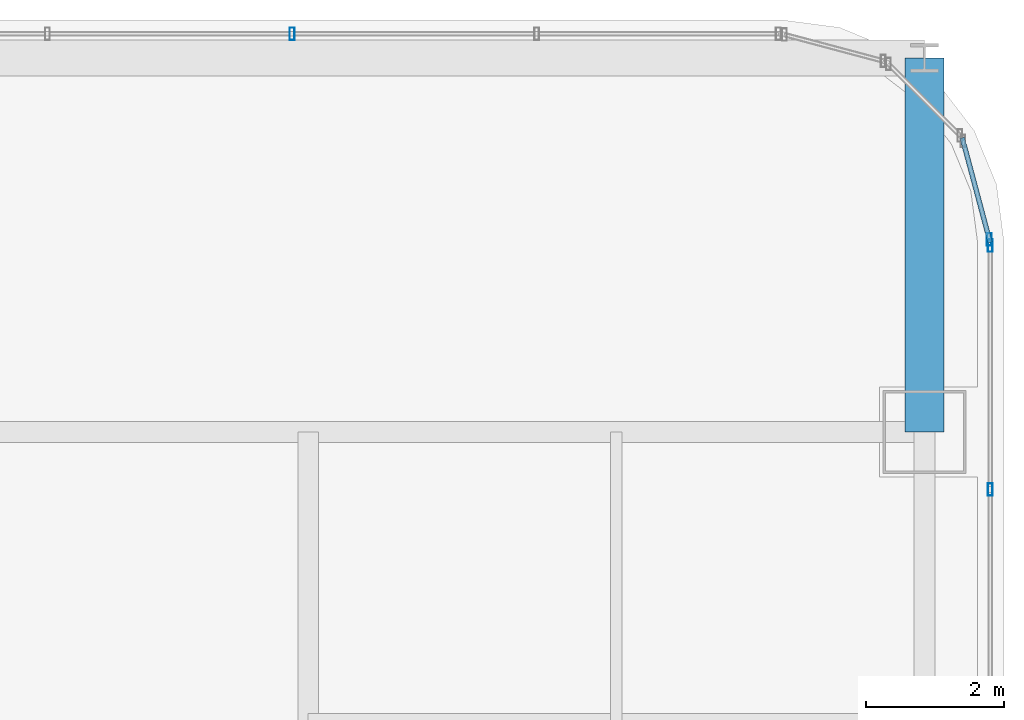
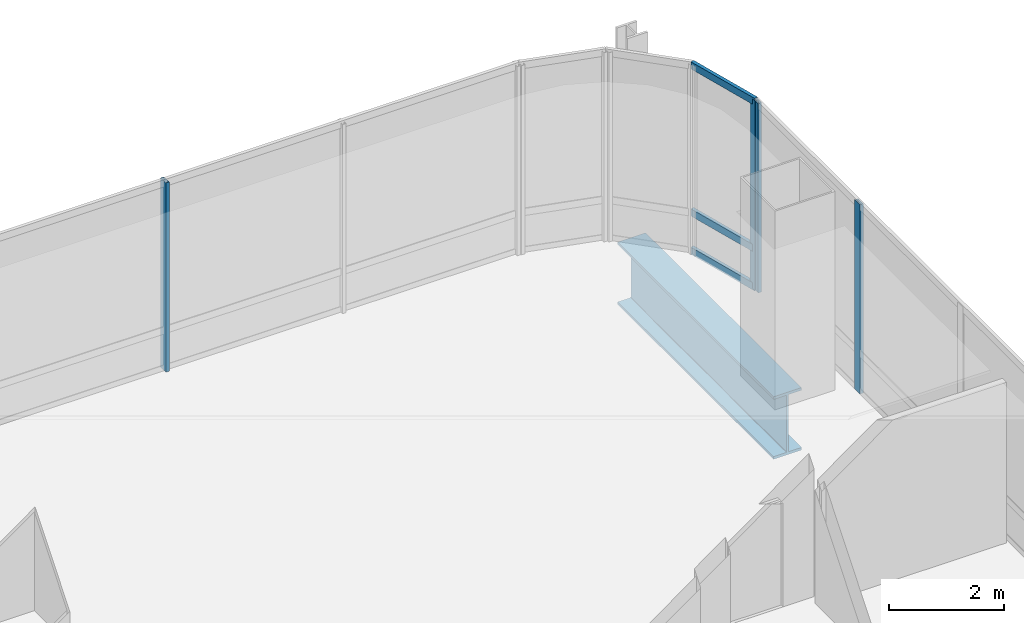
# One storey, part 29 of 41: 7 members, 1 beam, 3 elements without a shape of their own.
"""IFC4 building model written with IfcOpenShell, lengths in metres."""

from ifc_helpers import new_model, si_unit, direction, frame, origin, origin_2d, place, context, subcontext, project, spatial, hollow_rectangle, i_section, extrude, material, material_profile, profile_set, type_object, element, aggregate, save


model = new_model("IFC4")

# Units and contexts
model_context = context("Model", 3, precision=1e-05, world=origin(), true_north=direction((0.0, 1.0)))
body_context = subcontext(model_context, "Body", "Model", "MODEL_VIEW")
ifc_project = project(units=[si_unit("LENGTHUNIT", "METRE"), si_unit("AREAUNIT", "SQUARE_METRE"), si_unit("VOLUMEUNIT", "CUBIC_METRE"), si_unit("PLANEANGLEUNIT", "RADIAN"), si_unit("MASSUNIT", "GRAM", prefix="KILO")], contexts=[model_context])

# Site, building, storey
site_placement = place(None, origin())
site = spatial("IfcSite", under=ifc_project, at=site_placement, CompositionType="ELEMENT")
building_placement = place(site_placement, origin())
building = spatial("IfcBuilding", under=site, at=building_placement, Name="Punatoya Terracotta Tower", CompositionType="ELEMENT")
storey_placement = place(building_placement, frame((0.0, 0.0, 309.0)))
storey = spatial("IfcBuildingStorey", under=building, at=storey_placement, Name="L73", CompositionType="ELEMENT", Elevation=309.0)

# Beam
ifc_material_1 = material(Name="Steel S460", Category="steel")
ifc_material_profile_1 = material_profile(ifc_material_1, i_section(OverallWidth=0.56005859375, OverallDepth=1.320068359375, WebThickness=0.035888671875, FlangeThickness=0.054931640625, FilletRadius=0.01806640625, at=origin_2d()))
ifc_profile_set_1 = profile_set([ifc_material_profile_1], Name="Steel S460")
beam_type = type_object("IfcBeamType", Name="BM-TG-BLK", PredefinedType="BEAM", material=ifc_profile_set_1)
beam_placement = place(storey_placement, frame((19.10009765625, 17.5, -0.860107421875), z_axis=(0.0, 1.0, 0.0), x_axis=(-1.0, 0.0, 0.0)))
element("IfcBeam", 1, at=beam_placement, inside=storey, type_object=beam_type, Name="BM-L73-CANT-N4", PredefinedType="BEAM", context=body_context, shape_type="SweptSolid", body=[
    extrude(i_section(OverallWidth=0.56005859375, OverallDepth=1.320068359375, WebThickness=0.035888671875, FlangeThickness=0.054931640625, FilletRadius=0.01806640625, at=origin_2d()), origin(), (0.0, 0.0, 1.0), 5.39990234375),
])

# Curtain wall, members
ifc_material_2 = material(Name="Aluminium 6063-T6 + Double Low-E Glass", Category="aluminium")
curtain_wall_type = type_object("IfcCurtainWallType", Name="CW-M3", PredefinedType="NOTDEFINED", material=ifc_material_2)
curtain_wall_1_placement = place(storey_placement, origin())
curtain_wall_1 = element("IfcCurtainWall", 2, at=curtain_wall_1_placement, inside=storey, type_object=curtain_wall_type, Name="L73 Curtain Wall CW-L73-E05-1", PredefinedType="NOTDEFINED")
ifc_material_3 = material(Name="Aluminium 6063-T6", Category="aluminium")
ifc_material_profile_2 = material_profile(ifc_material_3, hollow_rectangle(XDim=0.070068359375, YDim=0.179931640625, WallThickness=0.00390625, at=origin_2d()))
ifc_profile_set_2 = profile_set([ifc_material_profile_2], Name="Aluminium 6063-T6")
member_type_1 = type_object("IfcMemberType", Name="CW-MUL-M3", PredefinedType="MULLION", material=ifc_profile_set_2)
member_1_placement = place(storey_placement, frame((20.050048828125, 16.66943359375, 0.0), z_axis=(0.0, 0.0, 1.0), x_axis=(1.0, 0.0, 0.0)))
member_1 = element("IfcMember", 3, at=member_1_placement, type_object=member_type_1, Name="CW-L73-E05-1 Mullion 09", PredefinedType="MULLION", context=body_context, shape_type="SweptSolid", body=[
    extrude(hollow_rectangle(XDim=0.070068359375, YDim=0.179931640625, WallThickness=0.00390625, at=origin_2d()), origin(), (0.0, 0.0, 1.0), 4.0),
])
member_2_placement = place(storey_placement, frame((20.050048828125, 20.19189453125, 0.0), z_axis=(0.0, 0.0, 1.0), x_axis=(1.0, 0.0, 0.0)))
member_2 = element("IfcMember", 4, at=member_2_placement, type_object=member_type_1, Name="CW-L73-E05-1 Mullion 10", PredefinedType="MULLION", context=body_context, shape_type="SweptSolid", body=[
    extrude(hollow_rectangle(XDim=0.070068359375, YDim=0.179931640625, WallThickness=0.00390625, at=origin_2d()), origin(), (0.0, 0.0, 1.0), 4.0),
])
aggregate(curtain_wall_1, [member_1, member_2])

# Curtain wall, member
curtain_wall_2_placement = place(storey_placement, origin())
curtain_wall_2 = element("IfcCurtainWall", 5, at=curtain_wall_2_placement, inside=storey, type_object=curtain_wall_type, Name="L73 Curtain Wall CW-L73-CRN06", PredefinedType="NOTDEFINED")
member_3_placement = place(storey_placement, frame((20.038330078125, 20.280517578125, 0.0), z_axis=(0.0, 0.0, 1.0), x_axis=(1.0, 0.0, 0.0)))
member_3 = element("IfcMember", 6, at=member_3_placement, type_object=member_type_1, Name="CW-L73-CRN06 Mullion 00", PredefinedType="MULLION", context=body_context, shape_type="SweptSolid", body=[
    extrude(hollow_rectangle(XDim=0.070068359375, YDim=0.179931640625, WallThickness=0.00390625, at=origin_2d()), origin(), (0.0, 0.0, 1.0), 4.0),
])

curtain_wall_3_placement = place(storey_placement, origin())
curtain_wall_3 = element("IfcCurtainWall", 7, at=curtain_wall_3_placement, inside=storey, type_object=curtain_wall_type, Name="L73 Curtain Wall CW-L73-N09-1", PredefinedType="NOTDEFINED")
member_4_placement = place(storey_placement, frame((9.968994140625, 23.25, 0.0), z_axis=(0.0, 0.0, 1.0), x_axis=(1.0, 0.0, 0.0)))
member_4 = element("IfcMember", 8, at=member_4_placement, type_object=member_type_1, Name="CW-L73-N09-1 Mullion 02", PredefinedType="MULLION", context=body_context, shape_type="SweptSolid", body=[
    extrude(hollow_rectangle(XDim=0.070068359375, YDim=0.179931640625, WallThickness=0.00390625, at=origin_2d()), origin(), (0.0, 0.0, 1.0), 4.0),
])
aggregate(curtain_wall_3, [member_4])

# Member
ifc_material_profile_3 = material_profile(ifc_material_3, hollow_rectangle(XDim=0.068115234375, YDim=0.14990234375, WallThickness=0.00390625, at=origin_2d()))
ifc_profile_set_3 = profile_set([ifc_material_profile_3], Name="Aluminium 6063-T6")
member_type_2 = type_object("IfcMemberType", Name="CW-TRN-TYP", PredefinedType="USERDEFINED", material=ifc_profile_set_3)
member_5_placement = place(storey_placement, frame((20.050048828125, 20.23681640625, 0.0400390625), z_axis=(-0.257847112249, 0.966185730957, 0.0), x_axis=(-0.966185730957, -0.257847112249, 0.0)))
member_5 = element("IfcMember", 9, at=member_5_placement, type_object=member_type_2, Name="CW-L73-CRN06 Transom 1", ObjectType="TRANSOM", PredefinedType="USERDEFINED", context=body_context, shape_type="SweptSolid", body=[
    extrude(hollow_rectangle(XDim=0.068115234375, YDim=0.14990234375, WallThickness=0.00390625, at=origin_2d()), origin(), (0.0, 0.0, 1.0), 1.565185546875),
])

member_6_placement = place(storey_placement, frame((20.050048828125, 20.23681640625, 0.85009765625), z_axis=(-0.257847112249, 0.966185730957, 0.0), x_axis=(-0.966185730957, -0.257847112249, 0.0)))
member_6 = element("IfcMember", 10, at=member_6_placement, type_object=member_type_2, Name="CW-L73-CRN06 Transom 2", ObjectType="TRANSOM", PredefinedType="USERDEFINED", context=body_context, shape_type="SweptSolid", body=[
    extrude(hollow_rectangle(XDim=0.068115234375, YDim=0.14990234375, WallThickness=0.00390625, at=origin_2d()), origin(), (0.0, 0.0, 1.0), 1.565185546875),
])

member_7_placement = place(storey_placement, frame((20.050048828125, 20.23681640625, 3.9599609375), z_axis=(-0.257847112249, 0.966185730957, 0.0), x_axis=(-0.966185730957, -0.257847112249, 0.0)))
member_7 = element("IfcMember", 11, at=member_7_placement, type_object=member_type_2, Name="CW-L73-CRN06 Transom 3", ObjectType="TRANSOM", PredefinedType="USERDEFINED", context=body_context, shape_type="SweptSolid", body=[
    extrude(hollow_rectangle(XDim=0.068115234375, YDim=0.14990234375, WallThickness=0.00390625, at=origin_2d()), origin(), (0.0, 0.0, 1.0), 1.565185546875),
])

aggregate(curtain_wall_2, [member_3, member_5, member_6, member_7])

save(model, "model.ifc")
